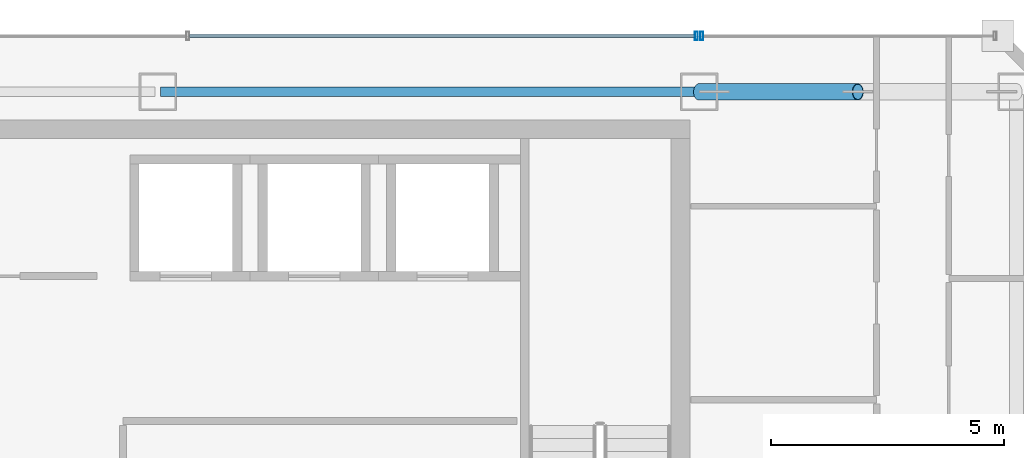
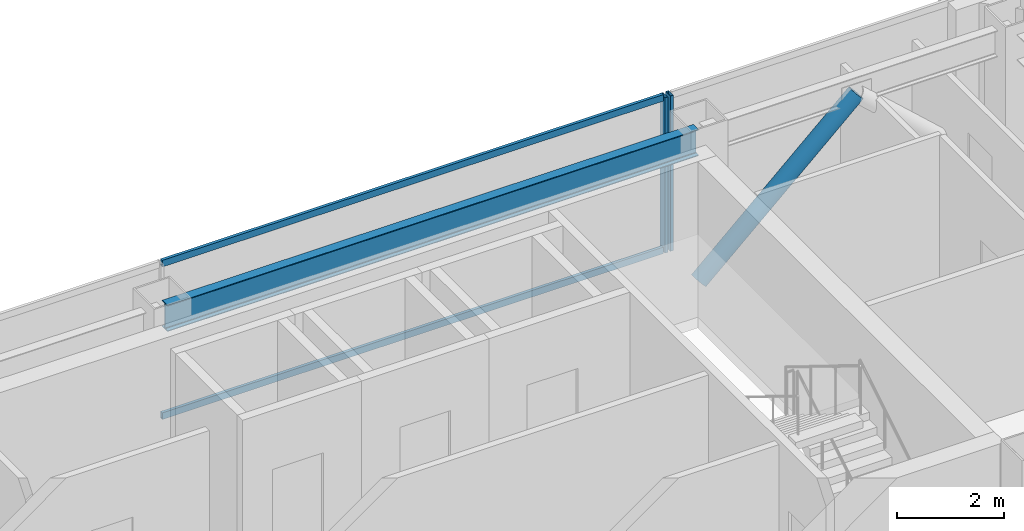
# One storey, part 22 of 32: 5 members, 1 beam, 2 elements without a shape of their own.
"""IFC4 building model written with IfcOpenShell, lengths in metres."""

from ifc_helpers import new_model, si_unit, direction, frame, origin, origin_2d, place, context, subcontext, project, spatial, hollow_rectangle, hollow_circle, i_section, extrude, material, material_profile, profile_set, type_object, element, aggregate, save


model = new_model("IFC4")

# Units and contexts
model_context = context("Model", 3, precision=1e-05, world=origin(), true_north=direction((0.0, 1.0)))
body_context = subcontext(model_context, "Body", "Model", "MODEL_VIEW")
ifc_project = project(units=[si_unit("LENGTHUNIT", "METRE"), si_unit("AREAUNIT", "SQUARE_METRE"), si_unit("VOLUMEUNIT", "CUBIC_METRE"), si_unit("PLANEANGLEUNIT", "RADIAN"), si_unit("MASSUNIT", "GRAM", prefix="KILO")], contexts=[model_context])

# Site, building, storey
site_placement = place(None, origin())
site = spatial("IfcSite", under=ifc_project, at=site_placement, CompositionType="ELEMENT")
building_placement = place(site_placement, origin())
building = spatial("IfcBuilding", under=site, at=building_placement, Name="Saevonmaru Cultural Tower", CompositionType="ELEMENT")
storey_placement = place(building_placement, frame((0.0, 0.0, 242.0)))
storey = spatial("IfcBuildingStorey", under=building, at=storey_placement, Name="L56", CompositionType="ELEMENT", Elevation=242.0)

# Beam
ifc_material_1 = material(Name="Steel SM355", Category="steel")
ifc_material_profile_1 = material_profile(ifc_material_1, i_section(OverallWidth=0.199951171875, OverallDepth=0.60009765625, WebThickness=0.010986328125, FlangeThickness=0.01708984375, FilletRadius=0.02197265625, at=origin_2d()), Name="H-600x200x11x17")
ifc_profile_set_1 = profile_set([ifc_material_profile_1], Name="Steel SM355")
beam_type = type_object("IfcBeamType", Name="BM-SP-H600", PredefinedType="SPANDREL", material=ifc_profile_set_1)
beam_placement = place(storey_placement, frame((34.860107421875, 54.800048828125, 3.25), z_axis=(1.0, 0.0, 0.0), x_axis=(0.0, 1.0, 0.0)))
element("IfcBeam", 1, at=beam_placement, inside=storey, type_object=beam_type, Name="L56 North Spine Girder 4", PredefinedType="SPANDREL", context=body_context, shape_type="SweptSolid", body=[
    extrude(i_section(OverallWidth=0.199951171875, OverallDepth=0.60009765625, WebThickness=0.010986328125, FlangeThickness=0.01708984375, FilletRadius=0.02197265625, at=origin_2d()), origin(), (0.0, 0.0, 1.0), 11.47998046875),
])

# Member
ifc_material_profile_2 = material_profile(ifc_material_1, hollow_circle(Radius=0.177734375, WallThickness=0.01611328125, at=origin_2d()), Name="CHS-355.6x16")
ifc_profile_set_2 = profile_set([ifc_material_profile_2], Name="Steel SM355")
member_type_1 = type_object("IfcMemberType", Name="MB-PBR-CHS356", PredefinedType="BRACE", material=ifc_profile_set_2)
member_1_placement = place(storey_placement, frame((46.39990234375, 54.800048828125, 0.02001953125), z_axis=(0.738959728749, 0.0, 0.673749596873), x_axis=(0.0, 1.0, 0.0)))
element("IfcMember", 2, at=member_1_placement, inside=storey, type_object=member_type_1, Name="L56 Perimeter Braced-Tube Diagonal EN1", PredefinedType="BRACE", context=body_context, shape_type="SweptSolid", body=[
    extrude(hollow_circle(Radius=0.177734375, WallThickness=0.01611328125, at=origin_2d()), origin(), (0.0, 0.0, 1.0), 4.601318359375),
])

# Curtain wall, member
ifc_material_2 = material(Name="Satin Bronze Anodised Aluminium", Category="aluminium")
curtain_wall_type = type_object("IfcCurtainWallType", Name="CW-TYP-B", PredefinedType="NOTDEFINED", material=ifc_material_2)
curtain_wall_1_placement = place(storey_placement, origin())
curtain_wall_1 = element("IfcCurtainWall", 3, at=curtain_wall_1_placement, inside=storey, type_object=curtain_wall_type, Name="L56 East Braced Bay Spandrel Curtain Wall E10A", PredefinedType="NOTDEFINED")
ifc_material_profile_3 = material_profile(ifc_material_2, hollow_rectangle(XDim=0.06494140625, YDim=0.179931640625, WallThickness=0.00390625, at=origin_2d()), Name="ALU-MULL-180x65x4")
ifc_profile_set_3 = profile_set([ifc_material_profile_3], Name="Satin Bronze Anodised Aluminium")
member_type_2 = type_object("IfcMemberType", Name="ML-CW-180x65", PredefinedType="MULLION", material=ifc_profile_set_3)
member_2_placement = place(storey_placement, frame((46.4599609375, 56.0, 0.0), z_axis=(0.0, 0.0, 1.0), x_axis=(-1.0, 0.0, 0.0)))
member_2 = element("IfcMember", 4, at=member_2_placement, type_object=member_type_2, Name="CW-TW-L56-E10A mullion 2", PredefinedType="MULLION", context=body_context, shape_type="SweptSolid", body=[
    extrude(hollow_rectangle(XDim=0.06494140625, YDim=0.179931640625, WallThickness=0.00390625, at=origin_2d()), origin(), (0.0, 0.0, 1.0), 3.550048828125),
])
aggregate(curtain_wall_1, [member_2])

# Curtain wall, members
curtain_wall_2_placement = place(storey_placement, origin())
curtain_wall_2 = element("IfcCurtainWall", 5, at=curtain_wall_2_placement, inside=storey, type_object=curtain_wall_type, Name="L56 North Spine Unitised Curtain Wall E10B", PredefinedType="NOTDEFINED")
member_3_placement = place(storey_placement, frame((46.340087890625, 56.0, 0.0), z_axis=(0.0, 0.0, 1.0), x_axis=(-1.0, 0.0, 0.0)))
member_3 = element("IfcMember", 6, at=member_3_placement, type_object=member_type_2, Name="CW-TW-L56-E10B mullion 1", PredefinedType="MULLION", context=body_context, shape_type="SweptSolid", body=[
    extrude(hollow_rectangle(XDim=0.06494140625, YDim=0.179931640625, WallThickness=0.00390625, at=origin_2d()), origin(), (0.0, 0.0, 1.0), 3.550048828125),
])
ifc_material_profile_4 = material_profile(ifc_material_2, hollow_rectangle(XDim=0.06494140625, YDim=0.14990234375, WallThickness=0.00390625, at=origin_2d()), Name="ALU-TRAN-150x65x4")
ifc_profile_set_4 = profile_set([ifc_material_profile_4], Name="Satin Bronze Anodised Aluminium")
member_type_3 = type_object("IfcMemberType", Name="TR-CW-150x65", PredefinedType="USERDEFINED", material=ifc_profile_set_4)
member_4_placement = place(storey_placement, frame((46.3076171875, 56.0, 0.032470703125), z_axis=(-1.0, 0.0, 0.0), x_axis=(0.0, -1.0, 0.0)))
member_4 = element("IfcMember", 7, at=member_4_placement, type_object=member_type_3, Name="CW-TW-L56-E10B transom 1.1", ObjectType="TRANSOM", PredefinedType="USERDEFINED", context=body_context, shape_type="SweptSolid", body=[
    extrude(hollow_rectangle(XDim=0.06494140625, YDim=0.14990234375, WallThickness=0.00390625, at=origin_2d()), origin(), (0.0, 0.0, 1.0), 10.828369140625),
])
member_5_placement = place(storey_placement, frame((46.3076171875, 56.0, 3.517578125), z_axis=(-1.0, 0.0, 0.0), x_axis=(0.0, -1.0, 0.0)))
member_5 = element("IfcMember", 8, at=member_5_placement, type_object=member_type_3, Name="CW-TW-L56-E10B transom 1.2", ObjectType="TRANSOM", PredefinedType="USERDEFINED", context=body_context, shape_type="SweptSolid", body=[
    extrude(hollow_rectangle(XDim=0.06494140625, YDim=0.14990234375, WallThickness=0.00390625, at=origin_2d()), origin(), (0.0, 0.0, 1.0), 10.828369140625),
])
aggregate(curtain_wall_2, [member_3, member_4, member_5])

save(model, "model.ifc")
